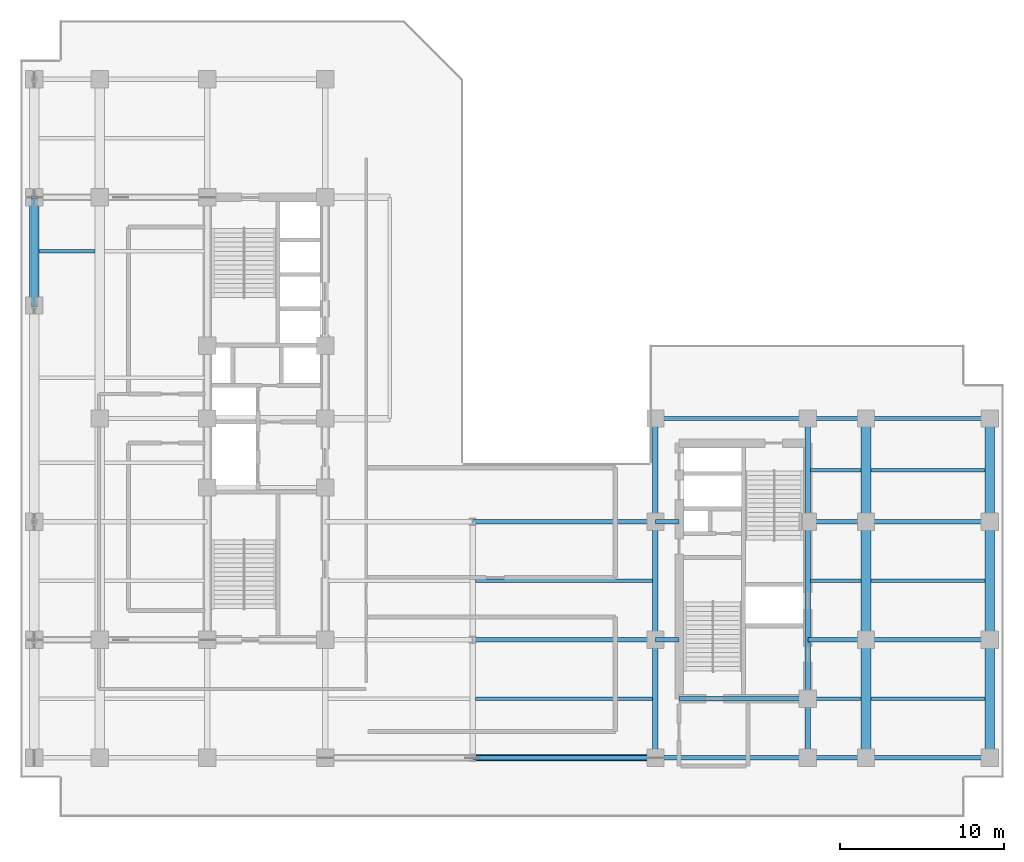
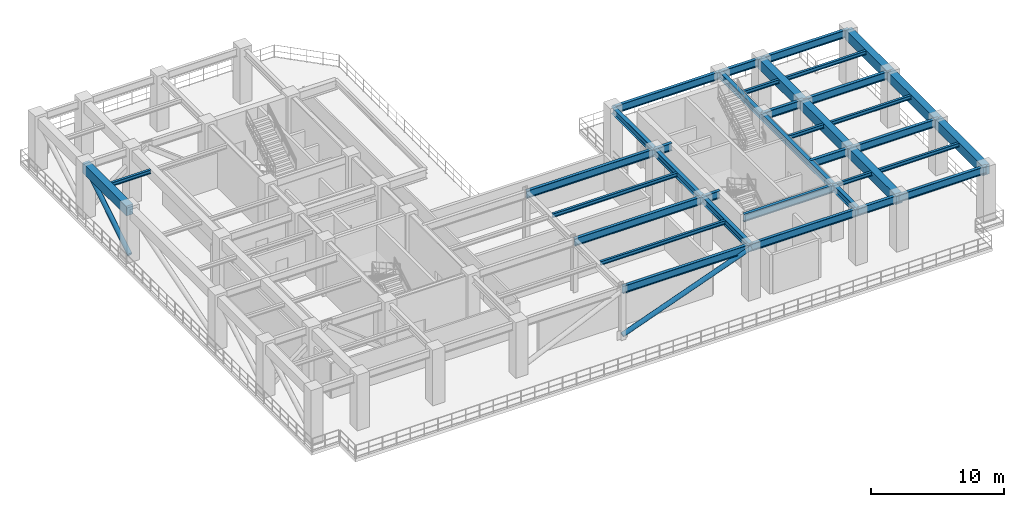
# One storey, part 3 of 16: 38 beams, 2 members.
"""IFC4 building model written with IfcOpenShell, lengths in metres."""

import ifcopenshell
import ifcopenshell.guid

model = None  # the IFC model being written
_history = None  # IfcOwnerHistory: only IFC2X3 demands one
_inside = {}  # id of a spatial element -> (the spatial element, [elements in it])
_under = {}  # id of a project, library or spatial element -> (it, [spatial elements below it])
_declared = {}  # id of a project -> (the project, [libraries it declares])
_typed = {}  # id of a type object -> (the type object, [elements of that type])
_made_of = {}  # id of a material, layer set ... -> (it, [elements and type objects made of it])


def new_model(schema):
    """Start an empty IFC model of exactly this schema.

    Asked for "IFC4X3", IfcOpenShell would pick the latest addendum, in which some entities
    have other attributes; the version numbers below select the first issue.
    IFC2X3 requires an IfcOwnerHistory on every rooted entity: one is made here for all.
    """
    global model, _history
    if schema == "IFC4X3":
        model = ifcopenshell.file(schema_version=(4, 3, 0, 0))
    else:
        model = ifcopenshell.file(schema=schema)
    _inside.clear()
    _under.clear()
    _declared.clear()
    _typed.clear()
    _made_of.clear()
    _history = None
    if model.schema == "IFC2X3":
        org = make("IfcOrganization", Name="unknown")
        user = make(
            "IfcPersonAndOrganization",
            ThePerson=make("IfcPerson", FamilyName="unknown"),
            TheOrganization=org,
        )
        app = make(
            "IfcApplication",
            ApplicationDeveloper=org,
            Version="unknown",
            ApplicationFullName="unknown",
            ApplicationIdentifier="unknown",
        )
        _history = make(
            "IfcOwnerHistory",
            OwningUser=user,
            OwningApplication=app,
            ChangeAction="ADDED",
            CreationDate=0,
        )
    return model


def make(cls, **values):
    """One entity of the class cls with the attributes given. An attribute that is None is left unset."""
    return model.create_entity(
        cls, **{name: value for name, value in values.items() if value is not None}
    )


def entity(cls, *values):
    """Any entity or typed value of the class cls, its attributes in the order of the schema. None: left unset."""
    e = model.create_entity(cls)
    for i, value in enumerate(values):
        if value is not None:
            e[i] = value
    return e


def rooted(cls, **values):
    """An entity with a GlobalId (a new one), such as an element, a storey or a relation."""
    return make(cls, GlobalId=ifcopenshell.guid.new(), OwnerHistory=_history, **values)


def si_unit(unit_type, name, prefix=None):
    """IfcSIUnit, for example si_unit("LENGTHUNIT", "METRE", prefix="MILLI")."""
    return make("IfcSIUnit", UnitType=unit_type, Prefix=prefix, Name=name)


def converted_unit(unit_type, name, factor, base, dimensions=None, offset=None):
    """IfcConversionBasedUnit, such as the inch: factor (a typed value) times the base unit."""
    return make(
        "IfcConversionBasedUnit"
        if offset is None
        else "IfcConversionBasedUnitWithOffset",
        ConversionOffset=offset,
        Dimensions=None
        if dimensions is None
        else entity("IfcDimensionalExponents", *dimensions),
        UnitType=unit_type,
        Name=name,
        ConversionFactor=make(
            "IfcMeasureWithUnit", ValueComponent=factor, UnitComponent=base
        ),
    )


def assignment(units):
    """IfcUnitAssignment: the units of a project."""
    return None if units is None else make("IfcUnitAssignment", Units=units)


def point(xyz):
    """IfcCartesianPoint."""
    return None if xyz is None else make("IfcCartesianPoint", Coordinates=xyz)


def direction(xyz):
    """IfcDirection."""
    return None if xyz is None else make("IfcDirection", DirectionRatios=xyz)


def frame(location, z_axis=None, x_axis=None):
    """IfcAxis2Placement3D, a coordinate frame: its origin and axes. An axis left out is left unset."""
    return make(
        "IfcAxis2Placement3D",
        Location=point(location),
        Axis=direction(z_axis),
        RefDirection=direction(x_axis),
    )


def frame_2d(location, x_axis=None):
    """IfcAxis2Placement2D, a coordinate frame in the plane: its origin and x axis."""
    return make(
        "IfcAxis2Placement2D", Location=point(location), RefDirection=direction(x_axis)
    )


def origin_with_axes():
    """The frame at (0, 0, 0) with the z axis (0, 0, 1) and the x axis (1, 0, 0) written out."""
    return frame((0.0, 0.0, 0.0), z_axis=(0.0, 0.0, 1.0), x_axis=(1.0, 0.0, 0.0))


def origin_2d_with_axis():
    """The frame at (0, 0) in the plane with the x axis (1, 0) written out."""
    return frame_2d((0.0, 0.0), x_axis=(1.0, 0.0))


def place(relative_to, where):
    """IfcLocalPlacement: puts the frame where relative to a parent placement (None: the world)."""
    return make(
        "IfcLocalPlacement", PlacementRelTo=relative_to, RelativePlacement=where
    )


def context(
    kind, dimensions, precision=None, world=None, true_north=None, identifier=None
):
    """IfcGeometricRepresentationContext, for example the 3D "Model" context."""
    return make(
        "IfcGeometricRepresentationContext",
        ContextIdentifier=identifier,
        ContextType=kind,
        CoordinateSpaceDimension=dimensions,
        Precision=precision,
        WorldCoordinateSystem=world,
        TrueNorth=true_north,
    )


def subcontext(parent, identifier, kind, view, scale=None):
    """IfcGeometricRepresentationSubContext, for example "Body" below "Model"."""
    return make(
        "IfcGeometricRepresentationSubContext",
        ContextIdentifier=identifier,
        ContextType=kind,
        ParentContext=parent,
        TargetScale=scale,
        TargetView=view,
    )


def project(units=None, contexts=None):
    """IfcProject with its units and contexts."""
    return rooted(
        "IfcProject",
        Name="project",
        RepresentationContexts=contexts,
        UnitsInContext=assignment(units),
    )


def spatial(cls, under=None, at=None, **own):
    """A site, building, storey or space (cls), placed at a placement, below another one or the project."""
    s = rooted(cls, ObjectPlacement=at, **own)
    if under is not None:
        _under.setdefault(under.id(), (under, []))[1].append(s)
    return s


def profile(cls, at=None, kind="AREA", **sizes):
    """A parametric profile (cls). Its sizes go by their IFC names, for example OverallWidth=200.0."""
    return make(cls, ProfileType=kind, Position=at, **sizes)


def rectangle(**sizes):
    """IfcRectangleProfileDef."""
    return profile("IfcRectangleProfileDef", **sizes)


def hollow_circle(**sizes):
    """IfcCircleHollowProfileDef."""
    return profile("IfcCircleHollowProfileDef", **sizes)


def i_section(**sizes):
    """IfcIShapeProfileDef."""
    return profile("IfcIShapeProfileDef", **sizes)


def extrude(swept, where, along, depth):
    """IfcExtrudedAreaSolid: the profile swept, set in the frame where, extruded along a direction by depth."""
    return make(
        "IfcExtrudedAreaSolid",
        SweptArea=swept,
        Position=where,
        ExtrudedDirection=direction(along),
        Depth=depth,
    )


def shape(context_of_items, identifier, shape_type, items):
    """IfcShapeRepresentation: the items that make up one representation, for example the "Body"."""
    return make(
        "IfcShapeRepresentation",
        ContextOfItems=context_of_items,
        RepresentationIdentifier=identifier,
        RepresentationType=shape_type,
        Items=items,
    )


def material(Name=None, Category=None):
    """IfcMaterial."""
    return make("IfcMaterial", Name=Name, Category=Category)


def material_profile(
    of_material, cross_section, Name=None, Category=None, Priority=None
):
    """IfcMaterialProfile: a cross section and its material."""
    return make(
        "IfcMaterialProfile",
        Name=Name,
        Material=of_material,
        Profile=cross_section,
        Priority=Priority,
        Category=Category,
    )


def profile_set(profiles, Name=None, composite=None):
    """IfcMaterialProfileSet."""
    return make(
        "IfcMaterialProfileSet",
        Name=Name,
        MaterialProfiles=profiles,
        CompositeProfile=composite,
    )


def made_of(thing, what):
    """Note that an element or type object is made of a material, layer set ...; save() writes the relation."""
    if what is not None:
        _made_of.setdefault(what.id(), (what, []))[1].append(thing)
    return thing


def type_object(cls, material=None, **own):
    """A type object (cls), such as IfcWallType, which elements share."""
    return made_of(rooted(cls, **own), material)


def element(
    cls,
    number,
    at=None,
    inside=None,
    cuts=None,
    type_object=None,
    material=None,
    context=None,
    identifier="Body",
    shape_type=None,
    held_by="IfcProductDefinitionShape",
    body=None,
    shapes=None,
    **own,
):
    """One element of the class cls, such as IfcWall. Its Tag is "e" and its number.

    at: its placement. inside: the storey or other place that contains it. cuts: it is an
    opening in that element (IfcRelVoidsElement). A single representation is given by context,
    identifier, shape_type and body (its items); several are given by shapes. held_by: the class
    of the entity that holds the representations. save() writes the other relations.
    """
    e = rooted(cls, Tag="e%d" % number, ObjectPlacement=at, **own)
    if body is not None:
        shapes = [shape(context, identifier, shape_type, body)]
    if shapes is not None:
        e.Representation = make(held_by, Representations=shapes)
    if inside is not None:
        _inside.setdefault(inside.id(), (inside, []))[1].append(e)
    if cuts is not None:
        rooted(
            "IfcRelVoidsElement", RelatingBuildingElement=cuts, RelatedOpeningElement=e
        )
    if type_object is not None:
        _typed.setdefault(type_object.id(), (type_object, []))[1].append(e)
    return made_of(e, material)


def aggregate(whole, parts):
    """IfcRelAggregates: a whole, such as a stair, and the parts it consists of."""
    return rooted("IfcRelAggregates", RelatingObject=whole, RelatedObjects=parts)


def save(model, path):
    """Write the relations noted so far, then the file.

    IfcRelAggregates (storeys below a building ...), IfcRelContainedInSpatialStructure (elements
    in a storey), IfcRelDefinesByType, IfcRelAssociatesMaterial and IfcRelDeclares: one each for
    every whole, place, type object, material and project.
    """
    for whole, parts in _under.values():
        aggregate(whole, parts)
    for where, things in _inside.values():
        rooted(
            "IfcRelContainedInSpatialStructure",
            RelatedElements=things,
            RelatingStructure=where,
        )
    for kind, things in _typed.values():
        rooted("IfcRelDefinesByType", RelatedObjects=things, RelatingType=kind)
    for what, things in _made_of.values():
        rooted("IfcRelAssociatesMaterial", RelatedObjects=things, RelatingMaterial=what)
    for by, libraries in _declared.values():
        rooted("IfcRelDeclares", RelatingContext=by, RelatedDefinitions=libraries)
    model.write(path)


model = new_model("IFC4")

# Units and contexts
model_context = context("Model", 3, precision=1e-05, world=origin_with_axes(), true_north=direction((0.0, 1.0)))
body_context = subcontext(model_context, "Body", "Model", "MODEL_VIEW")
ifc_project = project(units=[si_unit("LENGTHUNIT", "METRE"), si_unit("AREAUNIT", "SQUARE_METRE"), si_unit("VOLUMEUNIT", "CUBIC_METRE"), converted_unit("PLANEANGLEUNIT", "DEGREE", entity("IfcPlaneAngleMeasure", 0.017453292519943295), si_unit("PLANEANGLEUNIT", "RADIAN"), dimensions=[0, 0, 0, 0, 0, 0, 0]), si_unit("MASSUNIT", "GRAM", prefix="KILO"), si_unit("THERMODYNAMICTEMPERATUREUNIT", "KELVIN")], contexts=[model_context])

# Site, building, storey
site_placement = place(None, origin_with_axes())
site = spatial("IfcSite", under=ifc_project, at=site_placement, CompositionType="ELEMENT")
building_placement = place(site_placement, origin_with_axes())
building = spatial("IfcBuilding", under=site, at=building_placement, Name="Varnlund Millrace Tower", CompositionType="ELEMENT")
storey_placement = place(building_placement, frame((0.0, 0.0, 187.5), z_axis=(0.0, 0.0, 1.0), x_axis=(1.0, 0.0, 0.0)))
storey = spatial("IfcBuildingStorey", under=building, at=storey_placement, Name="L46", CompositionType="ELEMENT", Elevation=187.5)

# Members
ifc_material_1 = material(Name="Steel ASTM A500 Grade C", Category="steel")
ifc_material_profile_1 = material_profile(ifc_material_1, hollow_circle(Radius=0.203, WallThickness=0.0147, at=origin_2d_with_axis()), Name="Steel ASTM A500 Grade C")
ifc_profile_set_1 = profile_set([ifc_material_profile_1], Name="Steel ASTM A500 Grade C")
member_type = type_object("IfcMemberType", Name="Type-Belt-Brace-CHS406", PredefinedType="BRACE", material=ifc_profile_set_1)
member_1_placement = place(storey_placement, frame((0.85, 31.2, 0.35), z_axis=(0.0, 0.849441, 0.527683), x_axis=(-1.0, 0.0, 0.0)))
element("IfcMember", 1, at=member_1_placement, inside=storey, type_object=member_type, Name="Type-Belt-Brace-CHS406", PredefinedType="BRACE", context=body_context, shape_type="SweptSolid", body=[
    extrude(hollow_circle(Radius=0.203, WallThickness=0.0147, at=origin_2d_with_axis()), origin_with_axes(), (0.0, 0.0, 1.0), 7.769813),
])
member_2_placement = place(storey_placement, frame((27.6, 3.6, 0.35), z_axis=(0.938559, 0.0, 0.34512), x_axis=(0.0, 1.0, 0.0)))
element("IfcMember", 2, at=member_2_placement, inside=storey, type_object=member_type, Name="Type-Belt-Brace-CHS406", PredefinedType="BRACE", context=body_context, shape_type="SweptSolid", body=[
    extrude(hollow_circle(Radius=0.203, WallThickness=0.0147, at=origin_2d_with_axis()), origin_with_axes(), (0.0, 0.0, 1.0), 11.87992),
])

# Beams
ifc_material_2 = material(Name="Steel ASTM A992 Grade 50", Category="steel")
ifc_material_profile_2 = material_profile(ifc_material_2, i_section(OverallWidth=0.328, OverallDepth=0.628, WebThickness=0.0165, FlangeThickness=0.0277, FilletRadius=0.018, at=origin_2d_with_axis()), Name="Steel ASTM A992 Grade 50")
ifc_profile_set_2 = profile_set([ifc_material_profile_2], Name="Steel ASTM A992 Grade 50")
beam_type_1 = type_object("IfcBeamType", Name="Type-Girder-W24X146", PredefinedType="USERDEFINED", material=ifc_profile_set_2)
for number, where, z_axis, x_axis, name in (
    (3, (38.75, 3.6, 4.546), (0.0, 1.0, 0.0), (-1.0, 0.0, 0.0), "Type-Girder-W24X146"),
    (4, (38.75, 10.8, 4.546), (0.0, 1.0, 0.0), (-1.0, 0.0, 0.0), "Type-Girder-W24X146"),
):
    element("IfcBeam", number, at=place(storey_placement, frame(where, z_axis=z_axis, x_axis=x_axis)), inside=storey, type_object=beam_type_1, Name=name, ObjectType="GIRDER", PredefinedType="USERDEFINED", context=body_context, shape_type="SweptSolid", body=[
        extrude(i_section(OverallWidth=0.328, OverallDepth=0.628, WebThickness=0.0165, FlangeThickness=0.0277, FilletRadius=0.018, at=origin_2d_with_axis()), origin_with_axes(), (0.0, 0.0, 1.0), 7.2),
    ])
beam_1_placement = place(storey_placement, frame((38.75, 18.0, 4.546), z_axis=(0.0, 1.0, 0.0), x_axis=(-1.0, 0.0, 0.0)))
element("IfcBeam", 5, at=beam_1_placement, inside=storey, type_object=beam_type_1, Name="Type-Girder-W24X146", ObjectType="GIRDER", PredefinedType="USERDEFINED", context=body_context, shape_type="SweptSolid", body=[
    extrude(i_section(OverallWidth=0.328, OverallDepth=0.628, WebThickness=0.0165, FlangeThickness=0.0277, FilletRadius=0.018, at=origin_2d_with_axis()), origin_with_axes(), (0.0, 0.0, 1.0), 6.3),
])
beam_2_placement = place(storey_placement, frame((48.05, 3.6, 4.546), z_axis=(0.0, 1.0, 0.0), x_axis=(-1.0, 0.0, 0.0)))
element("IfcBeam", 6, at=beam_2_placement, inside=storey, type_object=beam_type_1, Name="Type-Girder-W24X146", ObjectType="GIRDER", PredefinedType="USERDEFINED", context=body_context, shape_type="SweptSolid", body=[
    extrude(i_section(OverallWidth=0.328, OverallDepth=0.628, WebThickness=0.0165, FlangeThickness=0.0277, FilletRadius=0.018, at=origin_2d_with_axis()), origin_with_axes(), (0.0, 0.0, 1.0), 3.6),
])
beam_3_placement = place(storey_placement, frame((48.05, 7.2, 4.546), z_axis=(0.0, 1.0, 0.0), x_axis=(-1.0, 0.0, 0.0)))
element("IfcBeam", 7, at=beam_3_placement, inside=storey, type_object=beam_type_1, Name="Type-Girder-W24X146", ObjectType="GIRDER", PredefinedType="USERDEFINED", context=body_context, shape_type="SweptSolid", body=[
    extrude(i_section(OverallWidth=0.328, OverallDepth=0.628, WebThickness=0.0165, FlangeThickness=0.0277, FilletRadius=0.018, at=origin_2d_with_axis()), origin_with_axes(), (0.0, 0.0, 1.0), 10.8),
])
beam_4_placement = place(storey_placement, frame((48.05, 18.0, 4.546), z_axis=(0.0, 1.0, 0.0), x_axis=(-1.0, 0.0, 0.0)))
element("IfcBeam", 8, at=beam_4_placement, inside=storey, type_object=beam_type_1, Name="Type-Girder-W24X146", ObjectType="GIRDER", PredefinedType="USERDEFINED", context=body_context, shape_type="SweptSolid", body=[
    extrude(i_section(OverallWidth=0.328, OverallDepth=0.628, WebThickness=0.0165, FlangeThickness=0.0277, FilletRadius=0.018, at=origin_2d_with_axis()), origin_with_axes(), (0.0, 0.0, 1.0), 6.3),
])
ifc_material_profile_3 = material_profile(ifc_material_2, i_section(OverallWidth=0.256, OverallDepth=0.693, WebThickness=0.0145, FlangeThickness=0.0236, FilletRadius=0.018, at=origin_2d_with_axis()), Name="Steel ASTM A992 Grade 50")
ifc_profile_set_3 = profile_set([ifc_material_profile_3], Name="Steel ASTM A992 Grade 50")
beam_type_2 = type_object("IfcBeamType", Name="Type-Girder-W27X114", PredefinedType="USERDEFINED", material=ifc_profile_set_3)
beam_5_placement = place(storey_placement, frame((27.6, 3.6, 4.5135), z_axis=(1.0, 0.0, 0.0), x_axis=(0.0, 1.0, 0.0)))
element("IfcBeam", 9, at=beam_5_placement, inside=storey, type_object=beam_type_2, Name="Type-Girder-W27X114", ObjectType="GIRDER", PredefinedType="USERDEFINED", context=body_context, shape_type="SweptSolid", body=[
    extrude(i_section(OverallWidth=0.256, OverallDepth=0.693, WebThickness=0.0145, FlangeThickness=0.0236, FilletRadius=0.018, at=origin_2d_with_axis()), origin_with_axes(), (0.0, 0.0, 1.0), 11.15),
])
beam_6_placement = place(storey_placement, frame((38.75, 3.6, 4.5135), z_axis=(1.0, 0.0, 0.0), x_axis=(0.0, 1.0, 0.0)))
element("IfcBeam", 10, at=beam_6_placement, inside=storey, type_object=beam_type_2, Name="Type-Girder-W27X114", ObjectType="GIRDER", PredefinedType="USERDEFINED", context=body_context, shape_type="SweptSolid", body=[
    extrude(i_section(OverallWidth=0.256, OverallDepth=0.693, WebThickness=0.0145, FlangeThickness=0.0236, FilletRadius=0.018, at=origin_2d_with_axis()), origin_with_axes(), (0.0, 0.0, 1.0), 9.3),
])
beam_7_placement = place(storey_placement, frame((48.05, 3.6, 4.5135), z_axis=(1.0, 0.0, 0.0), x_axis=(0.0, 1.0, 0.0)))
element("IfcBeam", 11, at=beam_7_placement, inside=storey, type_object=beam_type_2, Name="Type-Girder-W27X114", ObjectType="GIRDER", PredefinedType="USERDEFINED", context=body_context, shape_type="SweptSolid", body=[
    extrude(i_section(OverallWidth=0.256, OverallDepth=0.693, WebThickness=0.0145, FlangeThickness=0.0236, FilletRadius=0.018, at=origin_2d_with_axis()), origin_with_axes(), (0.0, 0.0, 1.0), 3.55),
])
beam_8_placement = place(storey_placement, frame((51.6, 3.6, 4.5135), z_axis=(1.0, 0.0, 0.0), x_axis=(0.0, 1.0, 0.0)))
element("IfcBeam", 12, at=beam_8_placement, inside=storey, type_object=beam_type_2, Name="Type-Girder-W27X114", ObjectType="GIRDER", PredefinedType="USERDEFINED", context=body_context, shape_type="SweptSolid", body=[
    extrude(i_section(OverallWidth=0.256, OverallDepth=0.693, WebThickness=0.0145, FlangeThickness=0.0236, FilletRadius=0.018, at=origin_2d_with_axis()), origin_with_axes(), (0.0, 0.0, 1.0), 7.55),
])
beam_9_placement = place(storey_placement, frame((40.2, 7.2, 4.5135), z_axis=(1.0, 0.0, 0.0), x_axis=(0.0, 1.0, 0.0)))
element("IfcBeam", 13, at=beam_9_placement, inside=storey, type_object=beam_type_2, Name="Type-Girder-W27X114", ObjectType="GIRDER", PredefinedType="USERDEFINED", context=body_context, shape_type="SweptSolid", body=[
    extrude(i_section(OverallWidth=0.256, OverallDepth=0.693, WebThickness=0.0145, FlangeThickness=0.0236, FilletRadius=0.018, at=origin_2d_with_axis()), origin_with_axes(), (0.0, 0.0, 1.0), 7.85),
])
beam_10_placement = place(storey_placement, frame((27.6, 10.8, 4.5135), z_axis=(1.0, 0.0, 0.0), x_axis=(0.0, 1.0, 0.0)))
element("IfcBeam", 14, at=beam_10_placement, inside=storey, type_object=beam_type_2, Name="Type-Girder-W27X114", ObjectType="GIRDER", PredefinedType="USERDEFINED", context=body_context, shape_type="SweptSolid", body=[
    extrude(i_section(OverallWidth=0.256, OverallDepth=0.693, WebThickness=0.0145, FlangeThickness=0.0236, FilletRadius=0.018, at=origin_2d_with_axis()), origin_with_axes(), (0.0, 0.0, 1.0), 11.15),
])
beam_11_placement = place(storey_placement, frame((38.75, 10.8, 4.5135), z_axis=(1.0, 0.0, 0.0), x_axis=(0.0, 1.0, 0.0)))
element("IfcBeam", 15, at=beam_11_placement, inside=storey, type_object=beam_type_2, Name="Type-Girder-W27X114", ObjectType="GIRDER", PredefinedType="USERDEFINED", context=body_context, shape_type="SweptSolid", body=[
    extrude(i_section(OverallWidth=0.256, OverallDepth=0.693, WebThickness=0.0145, FlangeThickness=0.0236, FilletRadius=0.018, at=origin_2d_with_axis()), origin_with_axes(), (0.0, 0.0, 1.0), 1.45),
])
beam_12_placement = place(storey_placement, frame((48.05, 10.8, 4.5135), z_axis=(1.0, 0.0, 0.0), x_axis=(0.0, 1.0, 0.0)))
element("IfcBeam", 16, at=beam_12_placement, inside=storey, type_object=beam_type_2, Name="Type-Girder-W27X114", ObjectType="GIRDER", PredefinedType="USERDEFINED", context=body_context, shape_type="SweptSolid", body=[
    extrude(i_section(OverallWidth=0.256, OverallDepth=0.693, WebThickness=0.0145, FlangeThickness=0.0236, FilletRadius=0.018, at=origin_2d_with_axis()), origin_with_axes(), (0.0, 0.0, 1.0), 3.55),
])
beam_13_placement = place(storey_placement, frame((51.6, 10.8, 4.5135), z_axis=(1.0, 0.0, 0.0), x_axis=(0.0, 1.0, 0.0)))
element("IfcBeam", 17, at=beam_13_placement, inside=storey, type_object=beam_type_2, Name="Type-Girder-W27X114", ObjectType="GIRDER", PredefinedType="USERDEFINED", context=body_context, shape_type="SweptSolid", body=[
    extrude(i_section(OverallWidth=0.256, OverallDepth=0.693, WebThickness=0.0145, FlangeThickness=0.0236, FilletRadius=0.018, at=origin_2d_with_axis()), origin_with_axes(), (0.0, 0.0, 1.0), 7.55),
])
beam_14_placement = place(storey_placement, frame((27.6, 18.0, 4.5135), z_axis=(1.0, 0.0, 0.0), x_axis=(0.0, 1.0, 0.0)))
element("IfcBeam", 18, at=beam_14_placement, inside=storey, type_object=beam_type_2, Name="Type-Girder-W27X114", ObjectType="GIRDER", PredefinedType="USERDEFINED", context=body_context, shape_type="SweptSolid", body=[
    extrude(i_section(OverallWidth=0.256, OverallDepth=0.693, WebThickness=0.0145, FlangeThickness=0.0236, FilletRadius=0.018, at=origin_2d_with_axis()), origin_with_axes(), (0.0, 0.0, 1.0), 11.15),
])
beam_15_placement = place(storey_placement, frame((38.75, 18.0, 4.5135), z_axis=(1.0, 0.0, 0.0), x_axis=(0.0, 1.0, 0.0)))
element("IfcBeam", 19, at=beam_15_placement, inside=storey, type_object=beam_type_2, Name="Type-Girder-W27X114", ObjectType="GIRDER", PredefinedType="USERDEFINED", context=body_context, shape_type="SweptSolid", body=[
    extrude(i_section(OverallWidth=0.256, OverallDepth=0.693, WebThickness=0.0145, FlangeThickness=0.0236, FilletRadius=0.018, at=origin_2d_with_axis()), origin_with_axes(), (0.0, 0.0, 1.0), 1.45),
])
beam_16_placement = place(storey_placement, frame((48.05, 18.0, 4.5135), z_axis=(1.0, 0.0, 0.0), x_axis=(0.0, 1.0, 0.0)))
element("IfcBeam", 20, at=beam_16_placement, inside=storey, type_object=beam_type_2, Name="Type-Girder-W27X114", ObjectType="GIRDER", PredefinedType="USERDEFINED", context=body_context, shape_type="SweptSolid", body=[
    extrude(i_section(OverallWidth=0.256, OverallDepth=0.693, WebThickness=0.0145, FlangeThickness=0.0236, FilletRadius=0.018, at=origin_2d_with_axis()), origin_with_axes(), (0.0, 0.0, 1.0), 3.55),
])
beam_17_placement = place(storey_placement, frame((51.6, 18.0, 4.5135), z_axis=(1.0, 0.0, 0.0), x_axis=(0.0, 1.0, 0.0)))
element("IfcBeam", 21, at=beam_17_placement, inside=storey, type_object=beam_type_2, Name="Type-Girder-W27X114", ObjectType="GIRDER", PredefinedType="USERDEFINED", context=body_context, shape_type="SweptSolid", body=[
    extrude(i_section(OverallWidth=0.256, OverallDepth=0.693, WebThickness=0.0145, FlangeThickness=0.0236, FilletRadius=0.018, at=origin_2d_with_axis()), origin_with_axes(), (0.0, 0.0, 1.0), 7.55),
])
beam_18_placement = place(storey_placement, frame((38.75, 24.3, 4.5135), z_axis=(1.0, 0.0, 0.0), x_axis=(0.0, 1.0, 0.0)))
element("IfcBeam", 22, at=beam_18_placement, inside=storey, type_object=beam_type_2, Name="Type-Girder-W27X114", ObjectType="GIRDER", PredefinedType="USERDEFINED", context=body_context, shape_type="SweptSolid", body=[
    extrude(i_section(OverallWidth=0.256, OverallDepth=0.693, WebThickness=0.0145, FlangeThickness=0.0236, FilletRadius=0.018, at=origin_2d_with_axis()), origin_with_axes(), (0.0, 0.0, 1.0), 9.3),
])
beam_19_placement = place(storey_placement, frame((48.05, 24.3, 4.5135), z_axis=(1.0, 0.0, 0.0), x_axis=(0.0, 1.0, 0.0)))
element("IfcBeam", 23, at=beam_19_placement, inside=storey, type_object=beam_type_2, Name="Type-Girder-W27X114", ObjectType="GIRDER", PredefinedType="USERDEFINED", context=body_context, shape_type="SweptSolid", body=[
    extrude(i_section(OverallWidth=0.256, OverallDepth=0.693, WebThickness=0.0145, FlangeThickness=0.0236, FilletRadius=0.018, at=origin_2d_with_axis()), origin_with_axes(), (0.0, 0.0, 1.0), 3.55),
])
beam_20_placement = place(storey_placement, frame((51.6, 24.3, 4.5135), z_axis=(1.0, 0.0, 0.0), x_axis=(0.0, 1.0, 0.0)))
element("IfcBeam", 24, at=beam_20_placement, inside=storey, type_object=beam_type_2, Name="Type-Girder-W27X114", ObjectType="GIRDER", PredefinedType="USERDEFINED", context=body_context, shape_type="SweptSolid", body=[
    extrude(i_section(OverallWidth=0.256, OverallDepth=0.693, WebThickness=0.0145, FlangeThickness=0.0236, FilletRadius=0.018, at=origin_2d_with_axis()), origin_with_axes(), (0.0, 0.0, 1.0), 7.55),
])
ifc_material_profile_4 = material_profile(ifc_material_2, i_section(OverallWidth=0.204, OverallDepth=0.35, WebThickness=0.0086, FlangeThickness=0.0151, FilletRadius=0.013, at=origin_2d_with_axis()), Name="Steel ASTM A992 Grade 50")
ifc_profile_set_4 = profile_set([ifc_material_profile_4], Name="Steel ASTM A992 Grade 50")
beam_type_3 = type_object("IfcBeamType", Name="Type-Joist-W14X48", PredefinedType="JOIST", material=ifc_profile_set_4)
beam_21_placement = place(storey_placement, frame((1.15, 34.5, 4.685), z_axis=(1.0, 0.0, 0.0), x_axis=(0.0, 1.0, 0.0)))
element("IfcBeam", 25, at=beam_21_placement, inside=storey, type_object=beam_type_3, Name="Type-Joist-W14X48", PredefinedType="JOIST", context=body_context, shape_type="SweptSolid", body=[
    extrude(i_section(OverallWidth=0.204, OverallDepth=0.35, WebThickness=0.0086, FlangeThickness=0.0151, FilletRadius=0.013, at=origin_2d_with_axis()), origin_with_axes(), (0.0, 0.0, 1.0), 3.4),
])
for number, where, z_axis, x_axis, name in (
    (26, (48.214, 7.2, 4.685), (1.0, 0.0, 0.0), (0.0, 1.0, 0.0), "Type-Joist-W14X48"),
    (27, (48.214, 14.4, 4.685), (1.0, 0.0, 0.0), (0.0, 1.0, 0.0), "Type-Joist-W14X48"),
    (28, (48.214, 21.15, 4.685), (1.0, 0.0, 0.0), (0.0, 1.0, 0.0), "Type-Joist-W14X48"),
):
    element("IfcBeam", number, at=place(storey_placement, frame(where, z_axis=z_axis, x_axis=x_axis)), inside=storey, type_object=beam_type_3, Name=name, PredefinedType="JOIST", context=body_context, shape_type="SweptSolid", body=[
        extrude(i_section(OverallWidth=0.204, OverallDepth=0.35, WebThickness=0.0086, FlangeThickness=0.0151, FilletRadius=0.013, at=origin_2d_with_axis()), origin_with_axes(), (0.0, 0.0, 1.0), 3.086),
    ])
for number, where, z_axis, x_axis, name in (
    (29, (51.9, 7.2, 4.685), (1.0, 0.0, 0.0), (0.0, 1.0, 0.0), "Type-Joist-W14X48"),
    (30, (51.9, 14.4, 4.685), (1.0, 0.0, 0.0), (0.0, 1.0, 0.0), "Type-Joist-W14X48"),
    (31, (51.9, 21.15, 4.685), (1.0, 0.0, 0.0), (0.0, 1.0, 0.0), "Type-Joist-W14X48"),
):
    element("IfcBeam", number, at=place(storey_placement, frame(where, z_axis=z_axis, x_axis=x_axis)), inside=storey, type_object=beam_type_3, Name=name, PredefinedType="JOIST", context=body_context, shape_type="SweptSolid", body=[
        extrude(i_section(OverallWidth=0.204, OverallDepth=0.35, WebThickness=0.0086, FlangeThickness=0.0151, FilletRadius=0.013, at=origin_2d_with_axis()), origin_with_axes(), (0.0, 0.0, 1.0), 6.95),
    ])
for number, where, z_axis, x_axis, name in (
    (32, (27.764, 7.2, 4.685), (1.0, 0.0, 0.0), (0.0, 1.0, 0.0), "Type-Joist-W14X48"),
    (33, (27.764, 14.4, 4.685), (1.0, 0.0, 0.0), (0.0, 1.0, 0.0), "Type-Joist-W14X48"),
):
    element("IfcBeam", number, at=place(storey_placement, frame(where, z_axis=z_axis, x_axis=x_axis)), inside=storey, type_object=beam_type_3, Name=name, PredefinedType="JOIST", context=body_context, shape_type="SweptSolid", body=[
        extrude(i_section(OverallWidth=0.204, OverallDepth=0.35, WebThickness=0.0086, FlangeThickness=0.0151, FilletRadius=0.013, at=origin_2d_with_axis()), origin_with_axes(), (0.0, 0.0, 1.0), 10.822),
    ])
ifc_material_3 = material(Name="Concrete C70/85", Category="concrete")
ifc_material_profile_5 = material_profile(ifc_material_3, rectangle(XDim=0.6, YDim=0.9, at=origin_2d_with_axis()), Name="Concrete C70/85")
ifc_profile_set_5 = profile_set([ifc_material_profile_5], Name="Concrete C70/85")
beam_type_4 = type_object("IfcBeamType", Name="Type-Spandrel-RC600X900", PredefinedType="SPANDREL", material=ifc_profile_set_5)
beam_22_placement = place(storey_placement, frame((0.85, 31.2, 4.41), z_axis=(0.0, 1.0, 0.0), x_axis=(-1.0, 0.0, 0.0)))
element("IfcBeam", 34, at=beam_22_placement, inside=storey, type_object=beam_type_4, Name="Type-Spandrel-RC600X900", PredefinedType="SPANDREL", context=body_context, shape_type="SweptSolid", body=[
    extrude(rectangle(XDim=0.6, YDim=0.9, at=origin_2d_with_axis()), origin_with_axes(), (0.0, 0.0, 1.0), 6.6),
])
for number, where, z_axis, x_axis, name in (
    (35, (51.6, 3.6, 4.41), (0.0, 1.0, 0.0), (-1.0, 0.0, 0.0), "Type-Spandrel-RC600X900"),
    (36, (51.6, 10.8, 4.41), (0.0, 1.0, 0.0), (-1.0, 0.0, 0.0), "Type-Spandrel-RC600X900"),
):
    element("IfcBeam", number, at=place(storey_placement, frame(where, z_axis=z_axis, x_axis=x_axis)), inside=storey, type_object=beam_type_4, Name=name, PredefinedType="SPANDREL", context=body_context, shape_type="SweptSolid", body=[
        extrude(rectangle(XDim=0.6, YDim=0.9, at=origin_2d_with_axis()), origin_with_axes(), (0.0, 0.0, 1.0), 7.2),
    ])
beam_23_placement = place(storey_placement, frame((51.6, 18.0, 4.41), z_axis=(0.0, 1.0, 0.0), x_axis=(-1.0, 0.0, 0.0)))
element("IfcBeam", 37, at=beam_23_placement, inside=storey, type_object=beam_type_4, Name="Type-Spandrel-RC600X900", PredefinedType="SPANDREL", context=body_context, shape_type="SweptSolid", body=[
    extrude(rectangle(XDim=0.6, YDim=0.9, at=origin_2d_with_axis()), origin_with_axes(), (0.0, 0.0, 1.0), 6.3),
])
for number, where, z_axis, x_axis, name in (
    (38, (59.15, 3.6, 4.41), (0.0, 1.0, 0.0), (-1.0, 0.0, 0.0), "Type-Spandrel-RC600X900"),
    (39, (59.15, 10.8, 4.41), (0.0, 1.0, 0.0), (-1.0, 0.0, 0.0), "Type-Spandrel-RC600X900"),
):
    element("IfcBeam", number, at=place(storey_placement, frame(where, z_axis=z_axis, x_axis=x_axis)), inside=storey, type_object=beam_type_4, Name=name, PredefinedType="SPANDREL", context=body_context, shape_type="SweptSolid", body=[
        extrude(rectangle(XDim=0.6, YDim=0.9, at=origin_2d_with_axis()), origin_with_axes(), (0.0, 0.0, 1.0), 7.2),
    ])
beam_24_placement = place(storey_placement, frame((59.15, 18.0, 4.41), z_axis=(0.0, 1.0, 0.0), x_axis=(-1.0, 0.0, 0.0)))
element("IfcBeam", 40, at=beam_24_placement, inside=storey, type_object=beam_type_4, Name="Type-Spandrel-RC600X900", PredefinedType="SPANDREL", context=body_context, shape_type="SweptSolid", body=[
    extrude(rectangle(XDim=0.6, YDim=0.9, at=origin_2d_with_axis()), origin_with_axes(), (0.0, 0.0, 1.0), 6.3),
])

save(model, "model.ifc")
